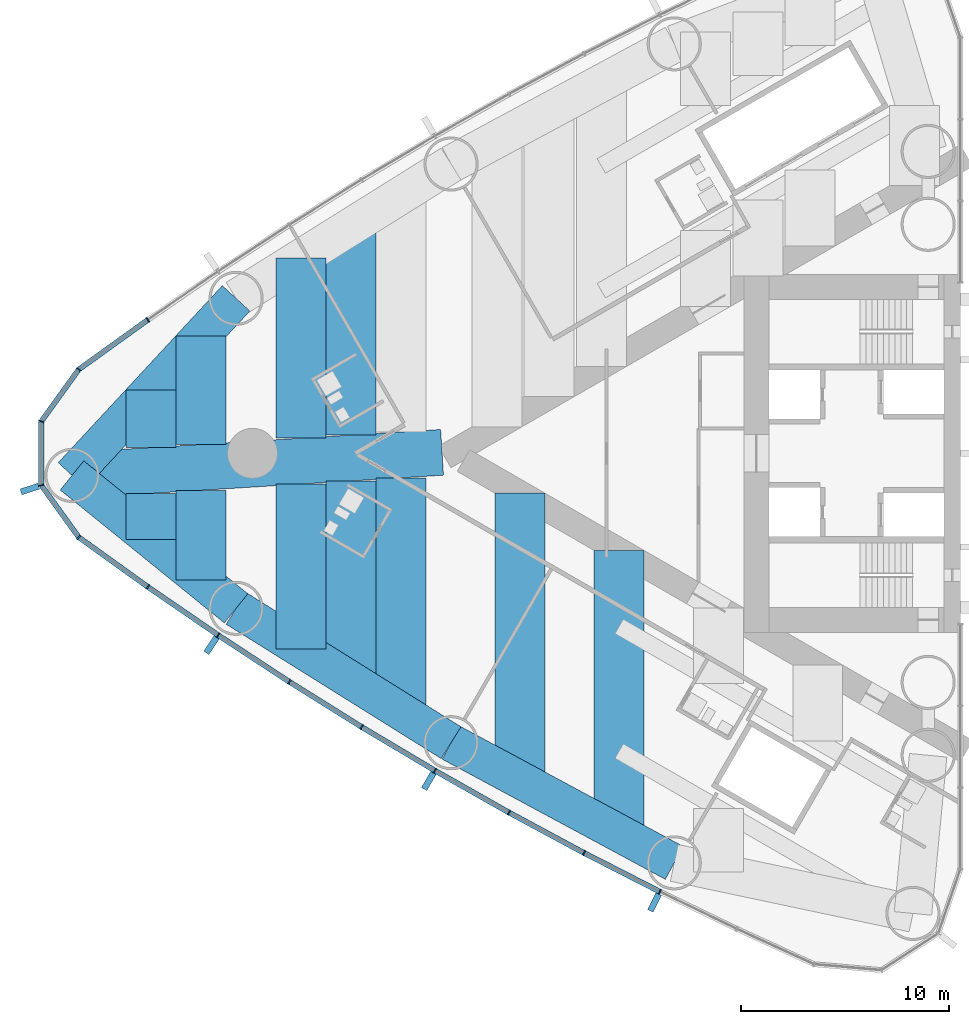
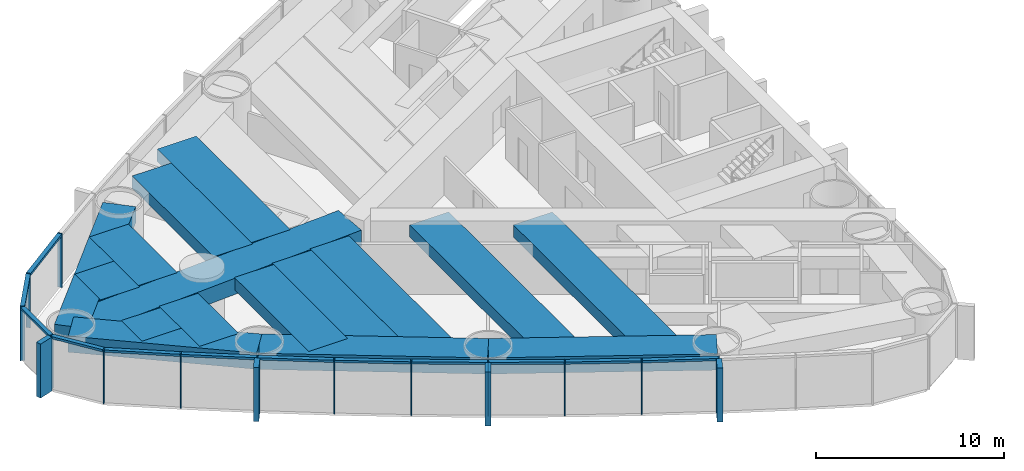
# One storey, part 2 of 18: 29 members, 16 beams, 1 element without a shape of its own.
"""IFC4 building model written with IfcOpenShell, lengths in metres."""

from ifc_helpers import new_model, si_unit, direction, frame, origin, origin_2d, place, context, subcontext, project, spatial, rectangle, extrude, material, material_profile, profile_set, type_object, element, aggregate, save


model = new_model("IFC4")

# Units and contexts
model_context = context("Model", 3, precision=1e-05, world=origin(), true_north=direction((0.0, 1.0)))
body_context = subcontext(model_context, "Body", "Model", "MODEL_VIEW")
ifc_project = project(units=[si_unit("LENGTHUNIT", "METRE"), si_unit("AREAUNIT", "SQUARE_METRE"), si_unit("VOLUMEUNIT", "CUBIC_METRE"), si_unit("PLANEANGLEUNIT", "RADIAN"), si_unit("MASSUNIT", "GRAM", prefix="KILO")], contexts=[model_context])

# Site, building, storey
site_placement = place(None, origin())
site = spatial("IfcSite", under=ifc_project, at=site_placement, CompositionType="ELEMENT")
building_placement = place(site_placement, origin())
building = spatial("IfcBuilding", under=site, at=building_placement, Name="Lancet Gate Hotel", CompositionType="ELEMENT")
storey_placement = place(building_placement, frame((0.0, 0.0, 101.10009765625)))
storey = spatial("IfcBuildingStorey", under=building, at=storey_placement, Name="L26", CompositionType="ELEMENT", Elevation=101.10009765625)

# Curtain wall, members
ifc_material_1 = material(Name="Aluminium curtain wall", Category="aluminium")
curtain_wall_type = type_object("IfcCurtainWallType", Name="Tower unitised curtain wall", PredefinedType="USERDEFINED", material=ifc_material_1)
curtain_wall_placement = place(storey_placement, origin())
curtain_wall = element("IfcCurtainWall", 1, at=curtain_wall_placement, inside=storey, type_object=curtain_wall_type, Name="T1 L26 curtain wall 1", ObjectType="UNITISED CURTAIN WALL", PredefinedType="USERDEFINED")
ifc_material_2 = material(Name="Aluminium mullion", Category="aluminium")
ifc_material_profile_1 = material_profile(ifc_material_2, rectangle(XDim=0.06494140625, YDim=0.25, at=origin_2d()), Name="MULLION 65x250")
ifc_profile_set_1 = profile_set([ifc_material_profile_1], Name="Aluminium mullion")
member_type_1 = type_object("IfcMemberType", Name="Aluminium mullion 65x250", PredefinedType="MULLION", material=ifc_profile_set_1)
member_1_placement = place(storey_placement, frame((-66.5234375, 6.41650390625, 0.0), z_axis=(0.0, 0.0, 1.0), x_axis=(-0.818327221681, -0.574752606132, 0.0)))
member_1 = element("IfcMember", 2, at=member_1_placement, type_object=member_type_1, Name="T1 L26 curtain wall 1 mullion 16", PredefinedType="MULLION", context=body_context, shape_type="SweptSolid", body=[
    extrude(rectangle(XDim=0.06494140625, YDim=0.25, at=origin_2d()), origin(), (0.0, 0.0, 1.0), 3.5),
])
member_2_placement = place(storey_placement, frame((-69.84619140625, 4.02880859375, 0.0), z_axis=(0.0, 0.0, 1.0), x_axis=(-0.723846229576, -0.6899613293, 0.0)))
member_2 = element("IfcMember", 3, at=member_2_placement, type_object=member_type_1, Name="T1 L26 curtain wall 1 mullion 17", PredefinedType="MULLION", context=body_context, shape_type="SweptSolid", body=[
    extrude(rectangle(XDim=0.06494140625, YDim=0.25, at=origin_2d()), origin(), (0.0, 0.0, 1.0), 3.5),
])
member_3_placement = place(storey_placement, frame((-71.64306640625, 1.536376953125, 0.0), z_axis=(0.0, 0.0, 1.0), x_axis=(-0.307269196735, -0.95162263568, 0.0)))
member_3 = element("IfcMember", 4, at=member_3_placement, type_object=member_type_1, Name="T1 L26 curtain wall 1 mullion 18", PredefinedType="MULLION", context=body_context, shape_type="SweptSolid", body=[
    extrude(rectangle(XDim=0.06494140625, YDim=0.25, at=origin_2d()), origin(), (0.0, 0.0, 1.0), 3.5),
])
member_4_placement = place(storey_placement, frame((-71.64306640625, -1.536376953125, 0.0), z_axis=(0.0, 0.0, 1.0), x_axis=(0.307269196735, -0.95162263568, 0.0)))
member_4 = element("IfcMember", 5, at=member_4_placement, type_object=member_type_1, Name="T1 L26 curtain wall 1 mullion 19", PredefinedType="MULLION", context=body_context, shape_type="SweptSolid", body=[
    extrude(rectangle(XDim=0.06494140625, YDim=0.25, at=origin_2d()), origin(), (0.0, 0.0, 1.0), 3.5),
])
member_5_placement = place(storey_placement, frame((-69.84619140625, -4.02880859375, 0.0), z_axis=(0.0, 0.0, 1.0), x_axis=(0.723846229576, -0.6899613293, 0.0)))
member_5 = element("IfcMember", 6, at=member_5_placement, type_object=member_type_1, Name="T1 L26 curtain wall 1 mullion 20", PredefinedType="MULLION", context=body_context, shape_type="SweptSolid", body=[
    extrude(rectangle(XDim=0.06494140625, YDim=0.25, at=origin_2d()), origin(), (0.0, 0.0, 1.0), 3.5),
])
member_6_placement = place(storey_placement, frame((-66.5234375, -6.41650390625, 0.0), z_axis=(0.0, 0.0, 1.0), x_axis=(0.818327221681, -0.574752606132, 0.0)))
member_6 = element("IfcMember", 7, at=member_6_placement, type_object=member_type_1, Name="T1 L26 curtain wall 1 mullion 21", PredefinedType="MULLION", context=body_context, shape_type="SweptSolid", body=[
    extrude(rectangle(XDim=0.06494140625, YDim=0.25, at=origin_2d()), origin(), (0.0, 0.0, 1.0), 3.5),
])
member_7_placement = place(storey_placement, frame((-63.14990234375, -8.73193359375, 0.0), z_axis=(0.0, 0.0, 1.0), x_axis=(0.830510096234, -0.557003572747, 0.0)))
member_7 = element("IfcMember", 8, at=member_7_placement, type_object=member_type_1, Name="T1 L26 curtain wall 1 mullion 22", PredefinedType="MULLION", context=body_context, shape_type="SweptSolid", body=[
    extrude(rectangle(XDim=0.06494140625, YDim=0.25, at=origin_2d()), origin(), (0.0, 0.0, 1.0), 3.5),
])
member_8_placement = place(storey_placement, frame((-59.7275390625, -10.974365234375, 0.0), z_axis=(0.0, 0.0, 1.0), x_axis=(0.84230807036, -0.538996395727, 0.0)))
member_8 = element("IfcMember", 9, at=member_8_placement, type_object=member_type_1, Name="T1 L26 curtain wall 1 mullion 23", PredefinedType="MULLION", context=body_context, shape_type="SweptSolid", body=[
    extrude(rectangle(XDim=0.06494140625, YDim=0.25, at=origin_2d()), origin(), (0.0, 0.0, 1.0), 3.5),
])
member_9_placement = place(storey_placement, frame((-56.257568359375, -13.142333984375, 0.0), z_axis=(0.0, 0.0, 1.0), x_axis=(0.853715676299, -0.52073942048, 0.0)))
member_9 = element("IfcMember", 10, at=member_9_placement, type_object=member_type_1, Name="T1 L26 curtain wall 1 mullion 24", PredefinedType="MULLION", context=body_context, shape_type="SweptSolid", body=[
    extrude(rectangle(XDim=0.06494140625, YDim=0.25, at=origin_2d()), origin(), (0.0, 0.0, 1.0), 3.5),
])
member_10_placement = place(storey_placement, frame((-52.74169921875, -15.2353515625, 0.0), z_axis=(0.0, 0.0, 1.0), x_axis=(0.86472762718, -0.502241108226, 0.0)))
member_10 = element("IfcMember", 11, at=member_10_placement, type_object=member_type_1, Name="T1 L26 curtain wall 1 mullion 25", PredefinedType="MULLION", context=body_context, shape_type="SweptSolid", body=[
    extrude(rectangle(XDim=0.06494140625, YDim=0.25, at=origin_2d()), origin(), (0.0, 0.0, 1.0), 3.5),
])
member_11_placement = place(storey_placement, frame((-49.181640625, -17.252197265625, 0.0), z_axis=(0.0, 0.0, 1.0), x_axis=(0.875338819507, -0.48351003202, 0.0)))
member_11 = element("IfcMember", 12, at=member_11_placement, type_object=member_type_1, Name="T1 L26 curtain wall 1 mullion 26", PredefinedType="MULLION", context=body_context, shape_type="SweptSolid", body=[
    extrude(rectangle(XDim=0.06494140625, YDim=0.25, at=origin_2d()), origin(), (0.0, 0.0, 1.0), 3.5),
])
member_12_placement = place(storey_placement, frame((-45.578857421875, -19.19189453125, 0.0), z_axis=(0.0, 0.0, 1.0), x_axis=(0.885544335517, -0.46455487279, 0.0)))
member_12 = element("IfcMember", 13, at=member_12_placement, type_object=member_type_1, Name="T1 L26 curtain wall 1 mullion 27", PredefinedType="MULLION", context=body_context, shape_type="SweptSolid", body=[
    extrude(rectangle(XDim=0.06494140625, YDim=0.25, at=origin_2d()), origin(), (0.0, 0.0, 1.0), 3.5),
])
member_13_placement = place(storey_placement, frame((-41.935302734375, -21.053466796875, 0.0), z_axis=(0.0, 0.0, 1.0), x_axis=(0.895339445458, -0.445384415317, 0.0)))
member_13 = element("IfcMember", 14, at=member_13_placement, type_object=member_type_1, Name="T1 L26 curtain wall 1 mullion 28", PredefinedType="MULLION", context=body_context, shape_type="SweptSolid", body=[
    extrude(rectangle(XDim=0.06494140625, YDim=0.25, at=origin_2d()), origin(), (0.0, 0.0, 1.0), 3.5),
])
ifc_material_3 = material(Name="Aluminium transom", Category="aluminium")
ifc_material_profile_2 = material_profile(ifc_material_3, rectangle(XDim=0.25, YDim=0.14990234375, at=origin_2d()), Name="TRANSOM 250x150")
ifc_profile_set_2 = profile_set([ifc_material_profile_2], Name="Aluminium transom")
member_type_2 = type_object("IfcMemberType", Name="Aluminium transom 250x150", PredefinedType="USERDEFINED", material=ifc_profile_set_2)
member_14_placement = place(storey_placement, frame((-66.5498046875, 6.3974609375, 3.4248046875), z_axis=(-0.812099770796, -0.583518604908, 0.0), x_axis=(0.583518604908, -0.812099770796, 0.0)))
member_14 = element("IfcMember", 15, at=member_14_placement, type_object=member_type_2, Name="T1 L26 curtain wall 1 transom 16", ObjectType="TRANSOM", PredefinedType="USERDEFINED", context=body_context, shape_type="SweptSolid", body=[
    extrude(rectangle(XDim=0.25, YDim=0.14990234375, at=origin_2d()), origin(), (0.0, 0.0, 1.0), 4.026611328125),
])
member_15_placement = place(storey_placement, frame((-69.865234375, 4.00244140625, 3.4248046875), z_axis=(-0.584787911241, -0.81118622946, 0.0), x_axis=(0.81118622946, -0.584787911241, 0.0)))
member_15 = element("IfcMember", 16, at=member_15_placement, type_object=member_type_2, Name="T1 L26 curtain wall 1 transom 17", ObjectType="TRANSOM", PredefinedType="USERDEFINED", context=body_context, shape_type="SweptSolid", body=[
    extrude(rectangle(XDim=0.25, YDim=0.14990234375, at=origin_2d()), origin(), (0.0, 0.0, 1.0), 3.007568359375),
])
member_16_placement = place(storey_placement, frame((-71.64306640625, 1.50390625, 3.4248046875), z_axis=(0.0, -1.0, 0.0), x_axis=(1.0, 0.0, 0.0)))
member_16 = element("IfcMember", 17, at=member_16_placement, type_object=member_type_2, Name="T1 L26 curtain wall 1 transom 18", ObjectType="TRANSOM", PredefinedType="USERDEFINED", context=body_context, shape_type="SweptSolid", body=[
    extrude(rectangle(XDim=0.25, YDim=0.14990234375, at=origin_2d()), origin(), (0.0, 0.0, 1.0), 3.0078125),
])
member_17_placement = place(storey_placement, frame((-71.6240234375, -1.562744140625, 3.4248046875), z_axis=(0.584787911241, -0.81118622946, 0.0), x_axis=(0.81118622946, 0.584787911241, 0.0)))
member_17 = element("IfcMember", 18, at=member_17_placement, type_object=member_type_2, Name="T1 L26 curtain wall 1 transom 19", ObjectType="TRANSOM", PredefinedType="USERDEFINED", context=body_context, shape_type="SweptSolid", body=[
    extrude(rectangle(XDim=0.25, YDim=0.14990234375, at=origin_2d()), origin(), (0.0, 0.0, 1.0), 3.007568359375),
])
member_18_placement = place(storey_placement, frame((-69.81982421875, -4.0478515625, 3.4248046875), z_axis=(0.812099770796, -0.583518604908, 0.0), x_axis=(0.583518604908, 0.812099770796, 0.0)))
member_18 = element("IfcMember", 19, at=member_18_placement, type_object=member_type_2, Name="T1 L26 curtain wall 1 transom 20", ObjectType="TRANSOM", PredefinedType="USERDEFINED", context=body_context, shape_type="SweptSolid", body=[
    extrude(rectangle(XDim=0.25, YDim=0.14990234375, at=origin_2d()), origin(), (0.0, 0.0, 1.0), 4.026611328125),
])
member_19_placement = place(storey_placement, frame((-66.49658203125, -6.434814453125, 3.4248046875), z_axis=(0.824455665247, -0.565926546508, 0.0), x_axis=(0.565926546508, 0.824455665247, 0.0)))
member_19 = element("IfcMember", 20, at=member_19_placement, type_object=member_type_2, Name="T1 L26 curtain wall 1 transom 21", ObjectType="TRANSOM", PredefinedType="USERDEFINED", context=body_context, shape_type="SweptSolid", body=[
    extrude(rectangle(XDim=0.25, YDim=0.14990234375, at=origin_2d()), origin(), (0.0, 0.0, 1.0), 4.026611328125),
])
member_20_placement = place(storey_placement, frame((-63.122802734375, -8.749755859375, 3.4248046875), z_axis=(0.83645442085, -0.548036496815, 0.0), x_axis=(0.548036496815, 0.83645442085, 0.0)))
member_20 = element("IfcMember", 21, at=member_20_placement, type_object=member_type_2, Name="T1 L26 curtain wall 1 transom 22", ObjectType="TRANSOM", PredefinedType="USERDEFINED", context=body_context, shape_type="SweptSolid", body=[
    extrude(rectangle(XDim=0.25, YDim=0.14990234375, at=origin_2d()), origin(), (0.0, 0.0, 1.0), 4.026611328125),
])
member_21_placement = place(storey_placement, frame((-59.699951171875, -10.991455078125, 3.4248046875), z_axis=(0.848049393821, -0.529917187531, 0.0), x_axis=(0.529917187531, 0.848049393821, 0.0)))
member_21 = element("IfcMember", 22, at=member_21_placement, type_object=member_type_2, Name="T1 L26 curtain wall 1 transom 23", ObjectType="TRANSOM", PredefinedType="USERDEFINED", context=body_context, shape_type="SweptSolid", body=[
    extrude(rectangle(XDim=0.25, YDim=0.14990234375, at=origin_2d()), origin(), (0.0, 0.0, 1.0), 4.026611328125),
])
member_22_placement = place(storey_placement, frame((-56.2294921875, -13.1591796875, 3.4248046875), z_axis=(0.859285270342, -0.511496651186, 0.0), x_axis=(0.511496651186, 0.859285270342, 0.0)))
member_22 = element("IfcMember", 23, at=member_22_placement, type_object=member_type_2, Name="T1 L26 curtain wall 1 transom 24", ObjectType="TRANSOM", PredefinedType="USERDEFINED", context=body_context, shape_type="SweptSolid", body=[
    extrude(rectangle(XDim=0.25, YDim=0.14990234375, at=origin_2d()), origin(), (0.0, 0.0, 1.0), 4.026611328125),
])
member_23_placement = place(storey_placement, frame((-52.71337890625, -15.25146484375, 3.4248046875), z_axis=(0.870091531013, -0.492890178091, 0.0), x_axis=(0.492890178091, 0.870091531013, 0.0)))
member_23 = element("IfcMember", 24, at=member_23_placement, type_object=member_type_2, Name="T1 L26 curtain wall 1 transom 25", ObjectType="TRANSOM", PredefinedType="USERDEFINED", context=body_context, shape_type="SweptSolid", body=[
    extrude(rectangle(XDim=0.25, YDim=0.14990234375, at=origin_2d()), origin(), (0.0, 0.0, 1.0), 4.026611328125),
])
member_24_placement = place(storey_placement, frame((-49.153076171875, -17.267578125, 3.4248046875), z_axis=(0.880498353192, -0.474049206335, 0.0), x_axis=(0.474049206335, 0.880498353192, 0.0)))
member_24 = element("IfcMember", 25, at=member_24_placement, type_object=member_type_2, Name="T1 L26 curtain wall 1 transom 26", ObjectType="TRANSOM", PredefinedType="USERDEFINED", context=body_context, shape_type="SweptSolid", body=[
    extrude(rectangle(XDim=0.25, YDim=0.14990234375, at=origin_2d()), origin(), (0.0, 0.0, 1.0), 4.02685546875),
])
member_25_placement = place(storey_placement, frame((-45.550048828125, -19.20654296875, 3.4248046875), z_axis=(0.89047617483, -0.455029869415, 0.0), x_axis=(0.455029869415, 0.89047617483, 0.0)))
member_25 = element("IfcMember", 26, at=member_25_placement, type_object=member_type_2, Name="T1 L26 curtain wall 1 transom 27", ObjectType="TRANSOM", PredefinedType="USERDEFINED", context=body_context, shape_type="SweptSolid", body=[
    extrude(rectangle(XDim=0.25, YDim=0.14990234375, at=origin_2d()), origin(), (0.0, 0.0, 1.0), 4.026611328125),
])

# Beams
ifc_material_4 = material(Name="Concrete C50/60", Category="concrete")
ifc_material_profile_3 = material_profile(ifc_material_4, rectangle(XDim=1.800048828125, YDim=1.050048828125, at=origin_2d()), Name="RC 1800x1050")
ifc_profile_set_3 = profile_set([ifc_material_profile_3], Name="Concrete C50/60")
beam_type_1 = type_object("IfcBeamType", Name="Edge beam RC 1800x1050", PredefinedType="SPANDREL", material=ifc_profile_set_3)
beam_1_placement = place(storey_placement, frame((-62.28662109375, 7.444580078125, 2.724853515625), z_axis=(-0.679718253794, -0.733473309303, 0.0), x_axis=(0.733473309303, -0.679718253794, 0.0)))
element("IfcBeam", 27, at=beam_1_placement, inside=storey, type_object=beam_type_1, Name="T1 edge beam EB1 L26", PredefinedType="SPANDREL", context=body_context, shape_type="SweptSolid", body=[
    extrude(rectangle(XDim=1.800048828125, YDim=1.050048828125, at=origin_2d()), origin(), (0.0, 0.0, 1.0), 11.594970703125),
])
beam_2_placement = place(storey_placement, frame((-70.16796875, -1.06005859375, 2.724853515625), z_axis=(0.777033503891, -0.629459239213, 0.0), x_axis=(0.629459239213, 0.777033503891, 0.0)))
element("IfcBeam", 28, at=beam_2_placement, inside=storey, type_object=beam_type_1, Name="T1 edge beam EB1 L26", PredefinedType="SPANDREL", context=body_context, shape_type="SweptSolid", body=[
    extrude(rectangle(XDim=1.800048828125, YDim=1.050048828125, at=origin_2d()), origin(), (0.0, 0.0, 1.0), 10.142822265625),
])
for number, where, z_axis, x_axis, name in (
    (29, (-62.28662109375, -7.444580078125, 2.724853515625), (0.848062521637, -0.529896177939, 0.0), (0.529896177939, 0.848062521637, 0.0), "T1 edge beam EB1 L26"),
    (30, (-51.963134765625, -13.89501953125, 2.724853515625), (0.880492350889, -0.474060354835, 0.0), (0.474060354835, 0.880492350889, 0.0), "T1 edge beam EB1 L26"),
):
    element("IfcBeam", number, at=place(storey_placement, frame(where, z_axis=z_axis, x_axis=x_axis)), inside=storey, type_object=beam_type_1, Name=name, PredefinedType="SPANDREL", context=body_context, shape_type="SweptSolid", body=[
        extrude(rectangle(XDim=1.800048828125, YDim=1.050048828125, at=origin_2d()), origin(), (0.0, 0.0, 1.0), 12.173095703125),
    ])

# Member
ifc_material_5 = material(Name="Precast concrete C50/60", Category="concrete")
ifc_material_profile_4 = material_profile(ifc_material_5, rectangle(XDim=0.300048828125, YDim=0.89990234375, at=origin_2d()), Name="FIN 300x900")
ifc_profile_set_4 = profile_set([ifc_material_profile_4], Name="Precast concrete C50/60")
member_type_3 = type_object("IfcMemberType", Name="Exposed concrete fin 300x900", PredefinedType="USERDEFINED", material=ifc_profile_set_4)
member_26_placement = place(storey_placement, frame((-72.190185546875, -1.713134765625, 0.0), z_axis=(0.0, 0.0, 1.0), x_axis=(0.307269196735, -0.95162263568, 0.0)))
member_26 = element("IfcMember", 31, at=member_26_placement, type_object=member_type_3, Name="T1 L26 curtain wall 1 fin 19", ObjectType="FIN", PredefinedType="USERDEFINED", context=body_context, shape_type="SweptSolid", body=[
    extrude(rectangle(XDim=0.300048828125, YDim=0.89990234375, at=origin_2d()), origin(), (0.0, 0.0, 1.0), 3.5),
])

member_27_placement = place(storey_placement, frame((-63.47021484375, -9.20947265625, 0.0), z_axis=(0.0, 0.0, 1.0), x_axis=(0.830510096234, -0.557003572747, 0.0)))
member_27 = element("IfcMember", 32, at=member_27_placement, type_object=member_type_3, Name="T1 L26 curtain wall 1 fin 22", ObjectType="FIN", PredefinedType="USERDEFINED", context=body_context, shape_type="SweptSolid", body=[
    extrude(rectangle(XDim=0.300048828125, YDim=0.89990234375, at=origin_2d()), origin(), (0.0, 0.0, 1.0), 3.5),
])

member_28_placement = place(storey_placement, frame((-53.030517578125, -15.732666015625, 0.0), z_axis=(0.0, 0.0, 1.0), x_axis=(0.86472762718, -0.502241108226, 0.0)))
member_28 = element("IfcMember", 33, at=member_28_placement, type_object=member_type_3, Name="T1 L26 curtain wall 1 fin 25", ObjectType="FIN", PredefinedType="USERDEFINED", context=body_context, shape_type="SweptSolid", body=[
    extrude(rectangle(XDim=0.300048828125, YDim=0.89990234375, at=origin_2d()), origin(), (0.0, 0.0, 1.0), 3.5),
])

member_29_placement = place(storey_placement, frame((-42.19140625, -21.568359375, 0.0), z_axis=(0.0, 0.0, 1.0), x_axis=(0.895339445458, -0.445384415317, 0.0)))
member_29 = element("IfcMember", 34, at=member_29_placement, type_object=member_type_3, Name="T1 L26 curtain wall 1 fin 28", ObjectType="FIN", PredefinedType="USERDEFINED", context=body_context, shape_type="SweptSolid", body=[
    extrude(rectangle(XDim=0.300048828125, YDim=0.89990234375, at=origin_2d()), origin(), (0.0, 0.0, 1.0), 3.5),
])

aggregate(curtain_wall, [member_1, member_2, member_3, member_4, member_26, member_5, member_6, member_7, member_27, member_8, member_9, member_10, member_28, member_11, member_12, member_13, member_29, member_14, member_15, member_16, member_17, member_18, member_19, member_20, member_21, member_22, member_23, member_24, member_25])

# Beams
ifc_material_6 = material(Name="Concrete C50/60", Category="concrete")
ifc_material_profile_5 = material_profile(ifc_material_6, rectangle(XDim=2.39990234375, YDim=0.800048828125, at=origin_2d()), Name="RC 2400x800")
ifc_profile_set_5 = profile_set([ifc_material_profile_5], Name="Concrete C50/60")
beam_type_2 = type_object("IfcBeamType", Name="Floor beam RC 2400x800", PredefinedType="BEAM", material=ifc_profile_set_5)
beam_3_placement = place(storey_placement, frame((-43.891357421875, -4.663330078125, 2.849853515625), z_axis=(0.0, -1.0, 0.0), x_axis=(1.0, 0.0, 0.0)))
element("IfcBeam", 35, at=beam_3_placement, inside=storey, type_object=beam_type_2, Name="T1 floor beam F08N L26", PredefinedType="BEAM", context=body_context, shape_type="SweptSolid", body=[
    extrude(rectangle(XDim=2.39990234375, YDim=0.800048828125, at=origin_2d()), origin(), (0.0, 0.0, 1.0), 13.57763671875),
])
beam_4_placement = place(storey_placement, frame((-48.66015625, -1.909912109375, 2.849853515625), z_axis=(0.0, -1.0, 0.0), x_axis=(1.0, 0.0, 0.0)))
element("IfcBeam", 36, at=beam_4_placement, inside=storey, type_object=beam_type_2, Name="T1 floor beam F11N L26", PredefinedType="BEAM", context=body_context, shape_type="SweptSolid", body=[
    extrude(rectangle(XDim=2.39990234375, YDim=0.800048828125, at=origin_2d()), origin(), (0.0, 0.0, 1.0), 13.763427734375),
])
beam_5_placement = place(storey_placement, frame((-54.3681640625, -1.177001953125, 2.849853515625), z_axis=(0.0, -1.0, 0.0), x_axis=(1.0, 0.0, 0.0)))
element("IfcBeam", 37, at=beam_5_placement, inside=storey, type_object=beam_type_2, Name="T1 floor beam F14N L26", PredefinedType="BEAM", context=body_context, shape_type="SweptSolid", body=[
    extrude(rectangle(XDim=2.39990234375, YDim=0.800048828125, at=origin_2d()), origin(), (0.0, 0.0, 1.0), 11.21533203125),
])
beam_6_placement = place(storey_placement, frame((-56.768310546875, 10.892578125, 2.849853515625), z_axis=(0.0, -1.0, 0.0), x_axis=(1.0, 0.0, 0.0)))
element("IfcBeam", 38, at=beam_6_placement, inside=storey, type_object=beam_type_2, Name="T1 floor beam F15S L26", PredefinedType="BEAM", context=body_context, shape_type="SweptSolid", body=[
    extrude(rectangle(XDim=2.39990234375, YDim=0.800048828125, at=origin_2d()), origin(), (0.0, 0.0, 1.0), 10.014892578125),
])
beam_7_placement = place(storey_placement, frame((-56.768310546875, -1.32666015625, 2.849853515625), z_axis=(0.0, -1.0, 0.0), x_axis=(1.0, 0.0, 0.0)))
element("IfcBeam", 39, at=beam_7_placement, inside=storey, type_object=beam_type_2, Name="T1 floor beam F16N L26", PredefinedType="BEAM", context=body_context, shape_type="SweptSolid", body=[
    extrude(rectangle(XDim=2.39990234375, YDim=0.800048828125, at=origin_2d()), origin(), (0.0, 0.0, 1.0), 9.56591796875),
])
beam_8_placement = place(storey_placement, frame((-59.168212890625, 9.39306640625, 2.849853515625), z_axis=(0.0, -1.0, 0.0), x_axis=(1.0, 0.0, 0.0)))
element("IfcBeam", 40, at=beam_8_placement, inside=storey, type_object=beam_type_2, Name="T1 floor beam F17S L26", PredefinedType="BEAM", context=body_context, shape_type="SweptSolid", body=[
    extrude(rectangle(XDim=2.39990234375, YDim=0.800048828125, at=origin_2d()), origin(), (0.0, 0.0, 1.0), 8.6650390625),
])
beam_9_placement = place(storey_placement, frame((-59.168212890625, -1.476318359375, 2.849853515625), z_axis=(0.0, -1.0, 0.0), x_axis=(1.0, 0.0, 0.0)))
element("IfcBeam", 41, at=beam_9_placement, inside=storey, type_object=beam_type_2, Name="T1 floor beam F18N L26", PredefinedType="BEAM", context=body_context, shape_type="SweptSolid", body=[
    extrude(rectangle(XDim=2.39990234375, YDim=0.800048828125, at=origin_2d()), origin(), (0.0, 0.0, 1.0), 7.916748046875),
])
beam_10_placement = place(storey_placement, frame((-63.96826171875, 5.6298828125, 2.849853515625), z_axis=(0.0, -1.0, 0.0), x_axis=(1.0, 0.0, 0.0)))
element("IfcBeam", 42, at=beam_10_placement, inside=storey, type_object=beam_type_2, Name="T1 floor beam F19S L26", PredefinedType="BEAM", context=body_context, shape_type="SweptSolid", body=[
    extrude(rectangle(XDim=2.39990234375, YDim=0.800048828125, at=origin_2d()), origin(), (0.0, 0.0, 1.0), 5.201171875),
])
beam_11_placement = place(storey_placement, frame((-63.96826171875, -1.775634765625, 2.849853515625), z_axis=(0.0, -1.0, 0.0), x_axis=(1.0, 0.0, 0.0)))
element("IfcBeam", 43, at=beam_11_placement, inside=storey, type_object=beam_type_2, Name="T1 floor beam F20N L26", PredefinedType="BEAM", context=body_context, shape_type="SweptSolid", body=[
    extrude(rectangle(XDim=2.39990234375, YDim=0.800048828125, at=origin_2d()), origin(), (0.0, 0.0, 1.0), 4.306640625),
])
beam_12_placement = place(storey_placement, frame((-66.3681640625, 3.040283203125, 2.849853515625), z_axis=(0.0, -1.0, 0.0), x_axis=(1.0, 0.0, 0.0)))
element("IfcBeam", 44, at=beam_12_placement, inside=storey, type_object=beam_type_2, Name="T1 floor beam F21S L26", PredefinedType="BEAM", context=body_context, shape_type="SweptSolid", body=[
    extrude(rectangle(XDim=2.39990234375, YDim=0.800048828125, at=origin_2d()), origin(), (0.0, 0.0, 1.0), 2.76123046875),
])
beam_13_placement = place(storey_placement, frame((-66.3681640625, -1.92529296875, 2.849853515625), z_axis=(0.0, -1.0, 0.0), x_axis=(1.0, 0.0, 0.0)))
element("IfcBeam", 45, at=beam_13_placement, inside=storey, type_object=beam_type_2, Name="T1 floor beam F22N L26", PredefinedType="BEAM", context=body_context, shape_type="SweptSolid", body=[
    extrude(rectangle(XDim=2.39990234375, YDim=0.800048828125, at=origin_2d()), origin(), (0.0, 0.0, 1.0), 2.212890625),
])
ifc_material_7 = material(Name="Concrete C50/60", Category="concrete")
ifc_material_profile_6 = material_profile(ifc_material_7, rectangle(XDim=2.199951171875, YDim=1.050048828125, at=origin_2d()), Name="RC 2200x1050")
ifc_profile_set_6 = profile_set([ifc_material_profile_6], Name="Concrete C50/60")
beam_type_3 = type_object("IfcBeamType", Name="Radial floor beam RC 2200x1050", PredefinedType="BEAM", material=ifc_profile_set_6)
beam_14_placement = place(storey_placement, frame((-70.16796875, -1.06005859375, 2.724853515625), z_axis=(0.998061637313, 0.062233175423, 0.0), x_axis=(-0.062233175423, 0.998061637313, 0.0)))
element("IfcBeam", 46, at=beam_14_placement, inside=storey, type_object=beam_type_3, Name="T1 radial beam CA L26", PredefinedType="BEAM", context=body_context, shape_type="SweptSolid", body=[
    extrude(rectangle(XDim=2.199951171875, YDim=1.050048828125, at=origin_2d()), origin(), (0.0, 0.0, 1.0), 17.806396484375),
])

save(model, "model.ifc")
